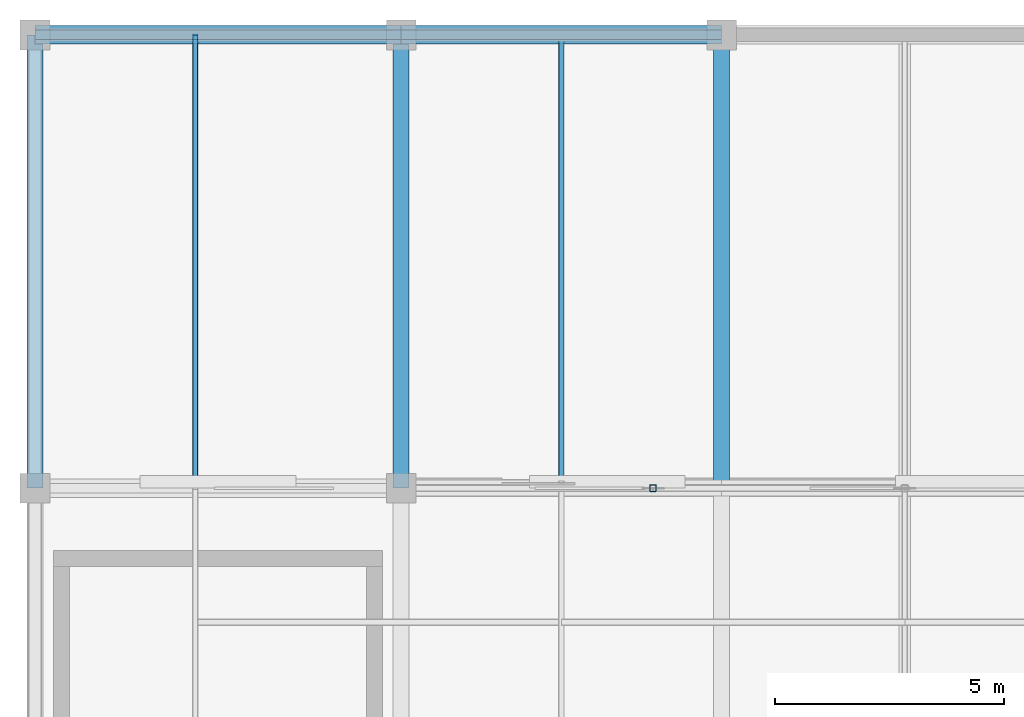
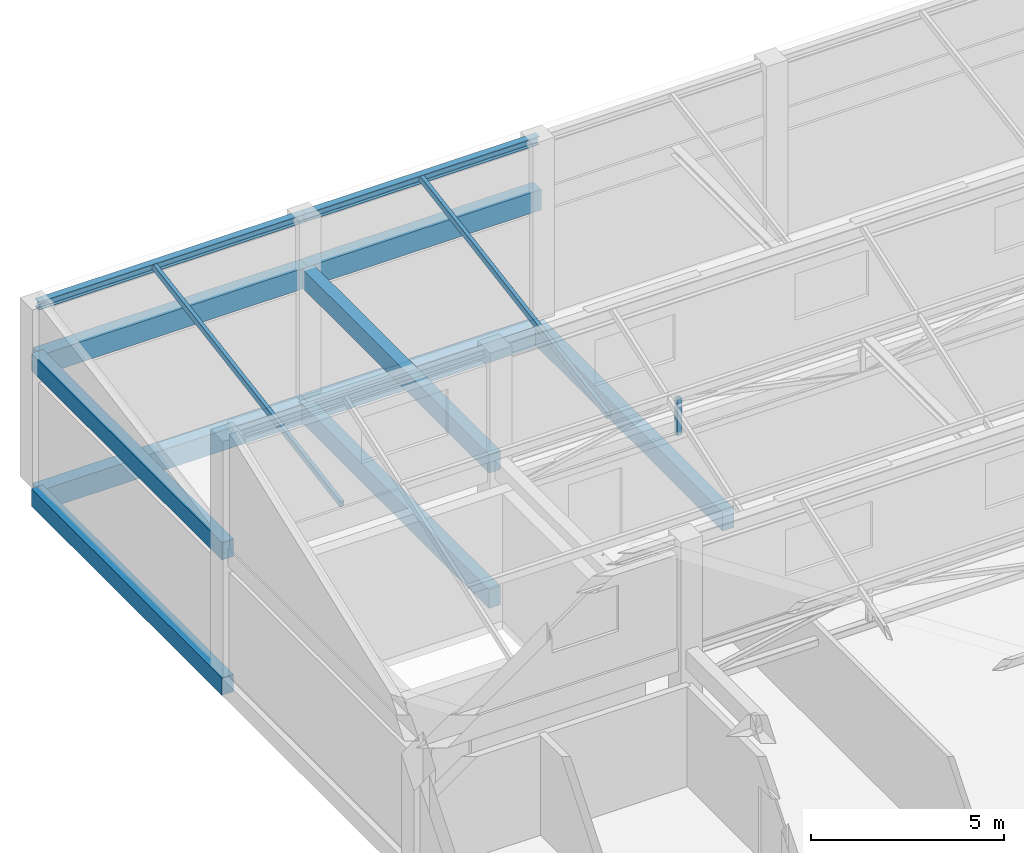
# One storey, part 23 of 35: 11 beams, 3 members.
"""IFC4 building model written with IfcOpenShell, lengths in metres."""

from ifc_helpers import new_model, si_unit, direction, frame, origin, origin_2d, place, context, subcontext, project, spatial, rectangle, hollow_rectangle, i_section, extrude, material, material_profile, profile_set, type_object, element, save


model = new_model("IFC4")

# Units and contexts
model_context = context("Model", 3, precision=1e-05, world=origin(), true_north=direction((0.0, 1.0)))
body_context = subcontext(model_context, "Body", "Model", "MODEL_VIEW")
ifc_project = project(units=[si_unit("LENGTHUNIT", "METRE"), si_unit("AREAUNIT", "SQUARE_METRE"), si_unit("VOLUMEUNIT", "CUBIC_METRE"), si_unit("PLANEANGLEUNIT", "RADIAN"), si_unit("MASSUNIT", "GRAM", prefix="KILO")], contexts=[model_context])

# Site, building, storey
site_placement = place(None, origin())
site = spatial("IfcSite", under=ifc_project, at=site_placement, CompositionType="ELEMENT")
building_placement = place(site_placement, origin())
building = spatial("IfcBuilding", under=site, at=building_placement, Name="Sillaruma Civic Art Gallery", CompositionType="ELEMENT")
storey_placement = place(building_placement, frame((0.0, 0.0, 74.4599609375)))
storey = spatial("IfcBuildingStorey", under=building, at=storey_placement, Name="L15", CompositionType="ELEMENT", Elevation=74.4599609375)

# Beams
ifc_material_1 = material(Name="Concrete H35 (35 MPa)", Category="concrete")
ifc_material_profile_1 = material_profile(ifc_material_1, rectangle(XDim=0.35009765625, YDim=0.60009765625, at=origin_2d()), Name="RCB350x600")
ifc_profile_set_1 = profile_set([ifc_material_profile_1], Name="Concrete H35 (35 MPa)")
beam_type_1 = type_object("IfcBeamType", Name="BM-BEAM-RCB350x600", PredefinedType="BEAM", material=ifc_profile_set_1)
for number, where, z_axis, x_axis, name in (
    (1, (70.0, 89.10009765625, -0.550048828125), (0.0, 1.0, 0.0), (-1.0, 0.0, 0.0), "Beam BM-06 (L14:G:10-11)"),
    (2, (77.0, 89.10009765625, -0.550048828125), (0.0, 1.0, 0.0), (-1.0, 0.0, 0.0), "Beam BM-06 (L14:H:10-11)"),
):
    element("IfcBeam", number, at=place(storey_placement, frame(where, z_axis=z_axis, x_axis=x_axis)), inside=storey, type_object=beam_type_1, Name=name, PredefinedType="BEAM", context=body_context, shape_type="SweptSolid", body=[
        extrude(rectangle(XDim=0.35009765625, YDim=0.60009765625, at=origin_2d()), origin(), (0.0, 0.0, 1.0), 9.89990234375),
    ])
ifc_material_profile_2 = material_profile(ifc_material_1, rectangle(XDim=0.35009765625, YDim=0.550048828125, at=origin_2d()), Name="RCB350x550")
ifc_profile_set_2 = profile_set([ifc_material_profile_2], Name="Concrete H35 (35 MPa)")
beam_type_2 = type_object("IfcBeamType", Name="BM-ROF-RCB350x550", PredefinedType="SPANDREL", material=ifc_profile_set_2)
beam_1_placement = place(storey_placement, frame((62.0, 89.10009765625, 3.76513671875), z_axis=(0.0, 1.0, 0.0), x_axis=(-1.0, 0.0, 0.0)))
element("IfcBeam", 3, at=beam_1_placement, inside=storey, type_object=beam_type_2, Name="Beam BSR-04 (L15:F:10-11)", PredefinedType="SPANDREL", context=body_context, shape_type="SweptSolid", body=[
    extrude(rectangle(XDim=0.35009765625, YDim=0.550048828125, at=origin_2d()), origin(), (0.0, 0.0, 1.0), 9.89990234375),
])
ifc_material_profile_3 = material_profile(ifc_material_1, rectangle(XDim=0.35009765625, YDim=0.60009765625, at=origin_2d()), Name="RCB350x600")
ifc_profile_set_3 = profile_set([ifc_material_profile_3], Name="Concrete H35 (35 MPa)")
beam_type_3 = type_object("IfcBeamType", Name="BM-ROF-RCB350x600", PredefinedType="BEAM", material=ifc_profile_set_3)
beam_2_placement = place(storey_placement, frame((70.0, 89.10009765625, 3.739990234375), z_axis=(0.0, 1.0, 0.0), x_axis=(-1.0, 0.0, 0.0)))
element("IfcBeam", 4, at=beam_2_placement, inside=storey, type_object=beam_type_3, Name="Beam BRF-06 (L15:G:10-11)", PredefinedType="BEAM", context=body_context, shape_type="SweptSolid", body=[
    extrude(rectangle(XDim=0.35009765625, YDim=0.60009765625, at=origin_2d()), origin(), (0.0, 0.0, 1.0), 9.89990234375),
])
ifc_material_profile_4 = material_profile(ifc_material_1, rectangle(XDim=0.39990234375, YDim=0.64990234375, at=origin_2d()), Name="RCB400x650")
ifc_profile_set_4 = profile_set([ifc_material_profile_4], Name="Concrete H35 (35 MPa)")
beam_type_4 = type_object("IfcBeamType", Name="BM-ROF-RCB400x650", PredefinedType="SPANDREL", material=ifc_profile_set_4)
beam_3_placement = place(storey_placement, frame((62.0, 99.0, 3.715087890625), z_axis=(1.0, 0.0, 0.0), x_axis=(0.0, 1.0, 0.0)))
element("IfcBeam", 5, at=beam_3_placement, inside=storey, type_object=beam_type_4, Name="Beam BSR-02 (L15:11:F-G)", PredefinedType="SPANDREL", context=body_context, shape_type="SweptSolid", body=[
    extrude(rectangle(XDim=0.39990234375, YDim=0.64990234375, at=origin_2d()), origin(), (0.0, 0.0, 1.0), 8.0),
])
beam_4_placement = place(storey_placement, frame((70.0, 99.0, 3.715087890625), z_axis=(1.0, 0.0, 0.0), x_axis=(0.0, 1.0, 0.0)))
element("IfcBeam", 6, at=beam_4_placement, inside=storey, type_object=beam_type_4, Name="Beam BSR-02 (L15:11:G-H)", PredefinedType="SPANDREL", context=body_context, shape_type="SweptSolid", body=[
    extrude(rectangle(XDim=0.39990234375, YDim=0.64990234375, at=origin_2d()), origin(), (0.0, 0.0, 1.0), 7.0),
])
ifc_material_2 = material(Name="Structural Steel ASTM A992 Gr.50", Category="steel")
ifc_material_profile_5 = material_profile(ifc_material_2, i_section(OverallWidth=0.2041015625, OverallDepth=0.257080078125, WebThickness=0.0087890625, FlangeThickness=0.015625, FilletRadius=0.012939453125, at=origin_2d()), Name="W250x67")
ifc_profile_set_5 = profile_set([ifc_material_profile_5], Name="Structural Steel ASTM A992 Gr.50")
beam_type_5 = type_object("IfcBeamType", Name="BM-SAW-W250x67", PredefinedType="BEAM", material=ifc_profile_set_5)
beam_5_placement = place(storey_placement, frame((62.0, 99.0, 5.530029296875), z_axis=(1.0, 0.0, 0.0), x_axis=(0.0, 1.0, 0.0)))
element("IfcBeam", 7, at=beam_5_placement, inside=storey, type_object=beam_type_5, Name="Crown North Ridge Steel Girder (FG)", PredefinedType="BEAM", context=body_context, shape_type="SweptSolid", body=[
    extrude(i_section(OverallWidth=0.2041015625, OverallDepth=0.257080078125, WebThickness=0.0087890625, FlangeThickness=0.015625, FilletRadius=0.012939453125, at=origin_2d()), origin(), (0.0, 0.0, 1.0), 8.0),
])
beam_6_placement = place(storey_placement, frame((70.0, 99.0, 5.530029296875), z_axis=(1.0, 0.0, 0.0), x_axis=(0.0, 1.0, 0.0)))
element("IfcBeam", 8, at=beam_6_placement, inside=storey, type_object=beam_type_5, Name="Crown North Ridge Steel Girder (GH)", PredefinedType="BEAM", context=body_context, shape_type="SweptSolid", body=[
    extrude(i_section(OverallWidth=0.2041015625, OverallDepth=0.257080078125, WebThickness=0.0087890625, FlangeThickness=0.015625, FilletRadius=0.012939453125, at=origin_2d()), origin(), (0.0, 0.0, 1.0), 7.0),
])
ifc_material_profile_6 = material_profile(ifc_material_1, rectangle(XDim=0.35009765625, YDim=0.550048828125, at=origin_2d()), Name="RCB350x550")
ifc_profile_set_6 = profile_set([ifc_material_profile_6], Name="Concrete H35 (35 MPa)")
beam_type_6 = type_object("IfcBeamType", Name="BM-SPANDREL-RCB350x550", PredefinedType="SPANDREL", material=ifc_profile_set_6)
beam_7_placement = place(storey_placement, frame((62.0, 89.10009765625, -0.52490234375), z_axis=(0.0, 1.0, 0.0), x_axis=(-1.0, 0.0, 0.0)))
element("IfcBeam", 9, at=beam_7_placement, inside=storey, type_object=beam_type_6, Name="Beam BS-04 (L14:F:10-11)", PredefinedType="SPANDREL", context=body_context, shape_type="SweptSolid", body=[
    extrude(rectangle(XDim=0.35009765625, YDim=0.550048828125, at=origin_2d()), origin(), (0.0, 0.0, 1.0), 9.89990234375),
])
ifc_material_profile_7 = material_profile(ifc_material_1, rectangle(XDim=0.39990234375, YDim=0.64990234375, at=origin_2d()), Name="RCB400x650")
ifc_profile_set_7 = profile_set([ifc_material_profile_7], Name="Concrete H35 (35 MPa)")
beam_type_7 = type_object("IfcBeamType", Name="BM-SPANDREL-RCB400x650", PredefinedType="SPANDREL", material=ifc_profile_set_7)
beam_8_placement = place(storey_placement, frame((62.0, 99.0, -0.574951171875), z_axis=(1.0, 0.0, 0.0), x_axis=(0.0, 1.0, 0.0)))
element("IfcBeam", 10, at=beam_8_placement, inside=storey, type_object=beam_type_7, Name="Beam BS-02 (L14:11:F-G)", PredefinedType="SPANDREL", context=body_context, shape_type="SweptSolid", body=[
    extrude(rectangle(XDim=0.39990234375, YDim=0.64990234375, at=origin_2d()), origin(), (0.0, 0.0, 1.0), 8.0),
])
beam_9_placement = place(storey_placement, frame((70.0, 99.0, -0.574951171875), z_axis=(1.0, 0.0, 0.0), x_axis=(0.0, 1.0, 0.0)))
element("IfcBeam", 11, at=beam_9_placement, inside=storey, type_object=beam_type_7, Name="Beam BS-02 (L14:11:G-H)", PredefinedType="SPANDREL", context=body_context, shape_type="SweptSolid", body=[
    extrude(rectangle(XDim=0.39990234375, YDim=0.64990234375, at=origin_2d()), origin(), (0.0, 0.0, 1.0), 7.0),
])

# Members
ifc_material_3 = material(Name="Structural Steel ASTM A500 Gr.C", Category="steel")
ifc_material_profile_8 = material_profile(ifc_material_3, hollow_rectangle(XDim=0.14990234375, YDim=0.14990234375, WallThickness=0.010009765625, InnerFilletRadius=0.010009765625, OuterFilletRadius=0.02001953125, at=origin_2d()), Name="HSS150x150x10")
ifc_profile_set_8 = profile_set([ifc_material_profile_8], Name="Structural Steel ASTM A500 Gr.C")
member_type_1 = type_object("IfcMemberType", Name="MEM-POST-HSS150x150x10", PredefinedType="POST", material=ifc_profile_set_8)
member_placement = place(storey_placement, frame((75.5, 89.10009765625, 2.699951171875), z_axis=(0.0, 0.0, 1.0), x_axis=(1.0, 0.0, 0.0)))
element("IfcMember", 12, at=member_placement, inside=storey, type_object=member_type_1, Name="Warren Truss Vertical Post TR-L15-6-V1", PredefinedType="POST", context=body_context, shape_type="SweptSolid", body=[
    extrude(hollow_rectangle(XDim=0.14990234375, YDim=0.14990234375, WallThickness=0.010009765625, InnerFilletRadius=0.010009765625, OuterFilletRadius=0.02001953125, at=origin_2d()), origin(), (0.0, 0.0, 1.0), 1.158203125),
])
ifc_material_profile_9 = material_profile(ifc_material_3, hollow_rectangle(XDim=0.1201171875, YDim=0.199951171875, WallThickness=0.008056640625, InnerFilletRadius=0.008056640625, OuterFilletRadius=0.01611328125, at=origin_2d()), Name="HSS200x120x8")
ifc_profile_set_9 = profile_set([ifc_material_profile_9], Name="Structural Steel ASTM A500 Gr.C")
member_type_2 = type_object("IfcMemberType", Name="MEM-RAF-HSS200", PredefinedType="PURLIN", material=ifc_profile_set_9)
for number, where, z_axis, x_axis, name in (
    (13, (65.5, 89.239990234375, 3.900146484375), (0.0, 0.986341193606, 0.16471505637), (-1.0, 0.0, 0.0), "Crown Sloped Steel Rafter (N-FW)"),
    (14, (73.5, 89.239990234375, 3.900146484375), (0.0, 0.986341193606, 0.16471505637), (-1.0, 0.0, 0.0), "Crown Sloped Steel Rafter (N-W)"),
):
    element("IfcMember", number, at=place(storey_placement, frame(where, z_axis=z_axis, x_axis=x_axis)), inside=storey, type_object=member_type_2, Name=name, PredefinedType="PURLIN", context=body_context, shape_type="SweptSolid", body=[
        extrude(hollow_rectangle(XDim=0.1201171875, YDim=0.199951171875, WallThickness=0.008056640625, InnerFilletRadius=0.008056640625, OuterFilletRadius=0.01611328125, at=origin_2d()), origin(), (0.0, 0.0, 1.0), 9.895263671875),
    ])

save(model, "model.ifc")
